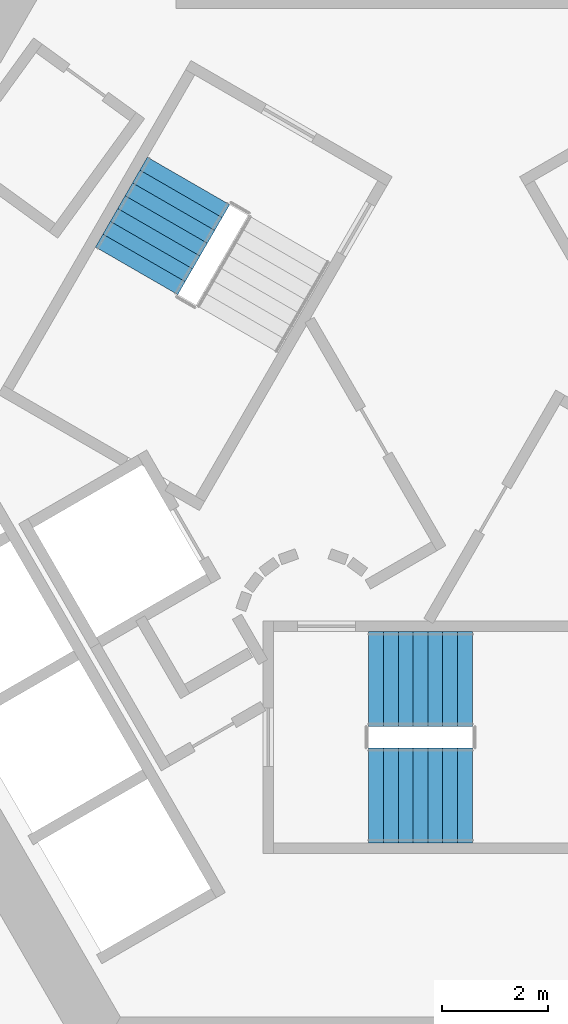
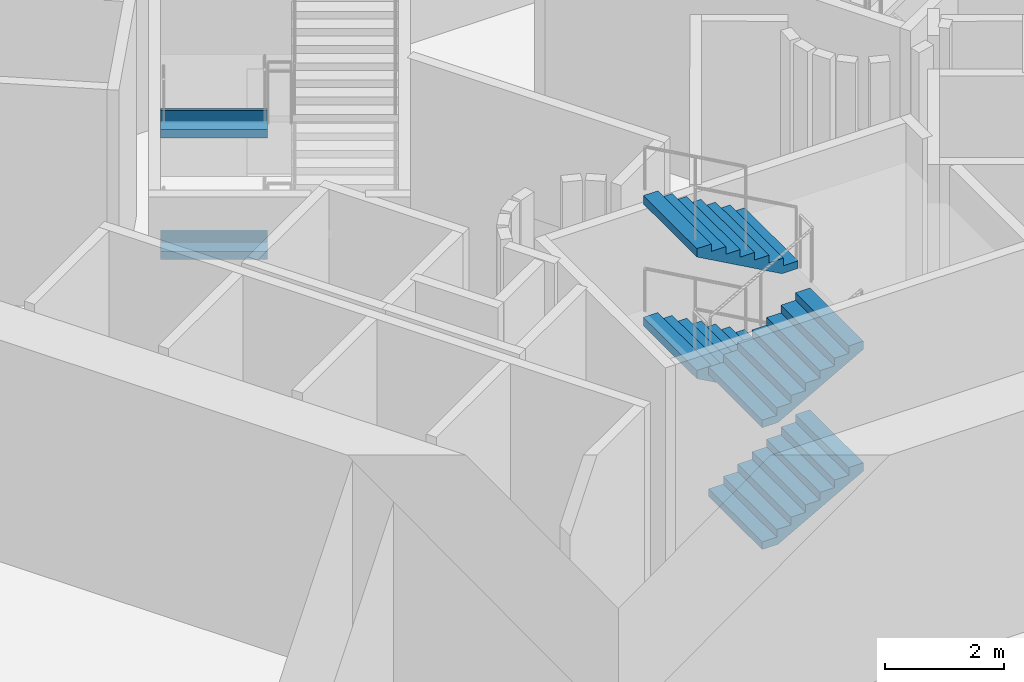
# One storey, part 10 of 16: 6 stair flights, 2 elements without a shape of their own.
"""IFC4 building model written with IfcOpenShell, lengths in metres."""

from ifc_helpers import new_model, si_unit, direction, frame, origin, place, context, subcontext, project, spatial, triangles, material, type_object, element, aggregate, save


model = new_model("IFC4")

# Units and contexts
model_context = context("Model", 3, precision=1e-05, world=origin(), true_north=direction((0.0, 1.0)))
body_context = subcontext(model_context, "Body", "Model", "MODEL_VIEW")
ifc_project = project(units=[si_unit("LENGTHUNIT", "METRE"), si_unit("AREAUNIT", "SQUARE_METRE"), si_unit("VOLUMEUNIT", "CUBIC_METRE"), si_unit("PLANEANGLEUNIT", "RADIAN"), si_unit("MASSUNIT", "GRAM", prefix="KILO")], contexts=[model_context])

# Site, building, storey
site_placement = place(None, origin())
site = spatial("IfcSite", under=ifc_project, at=site_placement, CompositionType="ELEMENT")
building_placement = place(site_placement, origin())
building = spatial("IfcBuilding", under=site, at=building_placement, Name="Entoto Arch Interchange Tower", CompositionType="ELEMENT")
storey_placement = place(building_placement, frame((0.0, 0.0, 20.0)))
storey = spatial("IfcBuildingStorey", under=building, at=storey_placement, Name="L03", CompositionType="ELEMENT", Elevation=20.0)

# Stair, stair flights
ifc_material = material(Name="Concrete C40/50", Category="concrete")
stair_type = type_object("IfcStairType", Name="EXIT STAIR RC 1800", PredefinedType="HALF_TURN_STAIR", material=ifc_material)
stair_1_placement = place(storey_placement, origin())
stair_1 = element("IfcStair", 1, at=stair_1_placement, inside=storey, type_object=stair_type, Name="L03 Exit stair S", PredefinedType="HALF_TURN_STAIR")
stair_flight_type = type_object("IfcStairFlightType", Name="EXIT STAIR FLIGHT RC 1800", PredefinedType="STRAIGHT", material=ifc_material)
stair_flight_1_placement = place(storey_placement, frame((-1.64990234375, -4.300048828125, 0.0), z_axis=(0.0, 0.0, 1.0), x_axis=(1.0, 0.0, 0.0)))
stair_flight_1 = element("IfcStairFlight", 2, at=stair_flight_1_placement, type_object=stair_flight_type, Name="ST-S flight 1", NumberOfRisers=8, NumberOfTreads=7, PredefinedType="STRAIGHT", RiserHeight=0.15625, TreadLength=0.28, context=body_context, shape_type="Tessellation", body=[
    triangles([(-0.003, -0.900024, 0.0), (-0.003, -0.900024, 0.15625), (0.28, -0.900024, 0.15625), (0.28, -0.900024, 0.3125), (0.56, -0.900024, 0.3125), (0.56, -0.900024, 0.46875), (0.84, -0.900024, 0.46875), (0.84, -0.900024, 0.625), (1.12, -0.900024, 0.625), (1.12, -0.900024, 0.78125), (1.4, -0.900024, 0.78125), (1.4, -0.900024, 0.9375), (1.68, -0.900024, 0.9375), (1.68, -0.900024, 1.09375), (1.96, -0.900024, 1.09375), (1.963, -0.900024, 1.09375), (1.963, -0.900024, 0.923761), (0.30762, -0.900024, 0.0), (-0.003, 0.900024, 0.0), (-0.003, 0.900024, 0.15625), (0.28, 0.900024, 0.15625), (0.28, 0.900024, 0.3125), (0.56, 0.900024, 0.3125), (0.56, 0.900024, 0.46875), (0.84, 0.900024, 0.46875), (0.84, 0.900024, 0.625), (1.12, 0.900024, 0.625), (1.12, 0.900024, 0.78125), (1.4, 0.900024, 0.78125), (1.4, 0.900024, 0.9375), (1.68, 0.900024, 0.9375), (1.68, 0.900024, 1.09375), (1.96, 0.900024, 1.09375), (1.963, 0.900024, 1.09375), (1.963, 0.900024, 0.923761), (0.30762, 0.900024, 0.0), (-0.003, -0.450012, 0.0), (-0.003, -0.450012, 0.15625), (-0.003, 0.0, 0.0), (-0.003, 0.0, 0.15625), (-0.003, 0.450012, 0.0), (-0.003, 0.450012, 0.15625), (0.28, -0.450012, 0.15625), (0.28, 0.0, 0.15625), (0.28, 0.450012, 0.15625), (0.28, -0.450012, 0.3125), (0.28, 0.0, 0.3125), (0.28, 0.450012, 0.3125), (0.56, -0.450012, 0.3125), (0.56, 0.0, 0.3125), (0.56, 0.450012, 0.3125), (0.56, -0.450012, 0.46875), (0.56, 0.0, 0.46875), (0.56, 0.450012, 0.46875), (0.84, -0.450012, 0.46875), (0.84, 0.0, 0.46875), (0.84, 0.450012, 0.46875), (0.84, -0.450012, 0.625), (0.84, 0.0, 0.625), (0.84, 0.450012, 0.625), (1.12, -0.450012, 0.625), (1.12, 0.0, 0.625), (1.12, 0.450012, 0.625), (1.12, -0.450012, 0.78125), (1.12, 0.0, 0.78125), (1.12, 0.450012, 0.78125), (1.4, -0.450012, 0.78125), (1.4, 0.0, 0.78125), (1.4, 0.450012, 0.78125), (1.4, -0.450012, 0.9375), (1.4, 0.0, 0.9375), (1.4, 0.450012, 0.9375), (1.68, -0.450012, 0.9375), (1.68, 0.0, 0.9375), (1.68, 0.450012, 0.9375), (1.68, -0.450012, 1.09375), (1.68, 0.0, 1.09375), (1.68, 0.450012, 1.09375), (1.96, -0.450012, 1.09375), (1.96, 0.0, 1.09375), (1.96, 0.450012, 1.09375), (1.963, -0.450012, 1.09375), (1.963, 0.0, 1.09375), (1.963, 0.450012, 1.09375), (1.963, -0.450012, 0.923761), (1.963, 0.0, 0.923761), (1.963, 0.450012, 0.923761), (0.30762, -0.450012, 0.0), (0.30762, 0.0, 0.0), (0.30762, 0.450012, 0.0)], [[1, 18, 17], [17, 16, 15], [17, 15, 14], [17, 14, 13], [17, 13, 12], [17, 12, 11], [11, 10, 9], [17, 11, 9], [9, 8, 7], [17, 9, 7], [7, 6, 5], [17, 7, 5], [5, 4, 3], [17, 5, 3], [1, 17, 3], [3, 2, 1], [19, 35, 36], [35, 33, 34], [35, 32, 33], [35, 31, 32], [35, 30, 31], [35, 29, 30], [29, 27, 28], [35, 27, 29], [27, 25, 26], [35, 25, 27], [25, 23, 24], [35, 23, 25], [23, 21, 22], [35, 21, 23], [19, 21, 35], [21, 19, 20], [1, 2, 38], [1, 38, 37], [37, 38, 40], [37, 40, 39], [39, 40, 42], [39, 42, 41], [41, 42, 20], [41, 20, 19], [2, 3, 43], [2, 43, 38], [38, 43, 44], [38, 44, 40], [40, 44, 45], [40, 45, 42], [42, 45, 21], [42, 21, 20], [3, 4, 46], [3, 46, 43], [43, 46, 47], [43, 47, 44], [44, 47, 48], [44, 48, 45], [45, 48, 22], [45, 22, 21], [4, 5, 49], [4, 49, 46], [46, 49, 50], [46, 50, 47], [47, 50, 51], [47, 51, 48], [48, 51, 23], [48, 23, 22], [5, 6, 52], [5, 52, 49], [49, 52, 53], [49, 53, 50], [50, 53, 54], [50, 54, 51], [51, 54, 24], [51, 24, 23], [6, 7, 55], [6, 55, 52], [52, 55, 56], [52, 56, 53], [53, 56, 57], [53, 57, 54], [54, 57, 25], [54, 25, 24], [7, 8, 58], [7, 58, 55], [55, 58, 59], [55, 59, 56], [56, 59, 60], [56, 60, 57], [57, 60, 26], [57, 26, 25], [8, 9, 61], [8, 61, 58], [58, 61, 62], [58, 62, 59], [59, 62, 63], [59, 63, 60], [60, 63, 27], [60, 27, 26], [9, 10, 64], [9, 64, 61], [61, 64, 65], [61, 65, 62], [62, 65, 66], [62, 66, 63], [63, 66, 28], [63, 28, 27], [10, 11, 67], [10, 67, 64], [64, 67, 68], [64, 68, 65], [65, 68, 69], [65, 69, 66], [66, 69, 29], [66, 29, 28], [11, 12, 70], [11, 70, 67], [67, 70, 71], [67, 71, 68], [68, 71, 72], [68, 72, 69], [69, 72, 30], [69, 30, 29], [12, 13, 73], [12, 73, 70], [70, 73, 74], [70, 74, 71], [71, 74, 75], [71, 75, 72], [72, 75, 31], [72, 31, 30], [13, 14, 76], [13, 76, 73], [73, 76, 77], [73, 77, 74], [74, 77, 78], [74, 78, 75], [75, 78, 32], [75, 32, 31], [14, 15, 79], [14, 79, 76], [76, 79, 80], [76, 80, 77], [77, 80, 81], [77, 81, 78], [78, 81, 33], [78, 33, 32], [15, 16, 82], [15, 82, 79], [79, 82, 83], [79, 83, 80], [80, 83, 84], [80, 84, 81], [81, 84, 34], [81, 34, 33], [16, 17, 85], [16, 85, 82], [82, 85, 86], [82, 86, 83], [83, 86, 87], [83, 87, 84], [84, 87, 35], [84, 35, 34], [17, 18, 88], [17, 88, 85], [85, 88, 89], [85, 89, 86], [86, 89, 90], [86, 90, 87], [87, 90, 36], [87, 36, 35], [18, 1, 37], [18, 37, 88], [88, 37, 39], [88, 39, 89], [89, 39, 41], [89, 41, 90], [90, 41, 19], [90, 19, 36]], closed=True),
])
stair_flight_2_placement = place(storey_placement, frame((0.31005859375, -2.10009765625, 1.25), z_axis=(0.0, 0.0, 1.0), x_axis=(-1.0, 0.0, 0.0)))
stair_flight_2 = element("IfcStairFlight", 3, at=stair_flight_2_placement, type_object=stair_flight_type, Name="ST-S flight 2", NumberOfRisers=8, NumberOfTreads=7, PredefinedType="STRAIGHT", RiserHeight=0.15625, TreadLength=0.28, context=body_context, shape_type="Tessellation", body=[
    triangles([(-0.003, -0.900024, 0.0), (-0.003, -0.900024, 0.15625), (0.28, -0.900024, 0.15625), (0.28, -0.900024, 0.3125), (0.56, -0.900024, 0.3125), (0.56, -0.900024, 0.46875), (0.84, -0.900024, 0.46875), (0.84, -0.900024, 0.625), (1.12, -0.900024, 0.625), (1.12, -0.900024, 0.78125), (1.4, -0.900024, 0.78125), (1.4, -0.900024, 0.9375), (1.68, -0.900024, 0.9375), (1.68, -0.900024, 1.09375), (1.96, -0.900024, 1.09375), (1.963, -0.900024, 1.09375), (1.963, -0.900024, 0.923761), (0.30762, -0.900024, 0.0), (-0.003, 0.900024, 0.0), (-0.003, 0.900024, 0.15625), (0.28, 0.900024, 0.15625), (0.28, 0.900024, 0.3125), (0.56, 0.900024, 0.3125), (0.56, 0.900024, 0.46875), (0.84, 0.900024, 0.46875), (0.84, 0.900024, 0.625), (1.12, 0.900024, 0.625), (1.12, 0.900024, 0.78125), (1.4, 0.900024, 0.78125), (1.4, 0.900024, 0.9375), (1.68, 0.900024, 0.9375), (1.68, 0.900024, 1.09375), (1.96, 0.900024, 1.09375), (1.963, 0.900024, 1.09375), (1.963, 0.900024, 0.923761), (0.30762, 0.900024, 0.0), (-0.003, -0.450012, 0.0), (-0.003, -0.450012, 0.15625), (-0.003, 0.0, 0.0), (-0.003, 0.0, 0.15625), (-0.003, 0.450012, 0.0), (-0.003, 0.450012, 0.15625), (0.28, -0.450012, 0.15625), (0.28, 0.0, 0.15625), (0.28, 0.450012, 0.15625), (0.28, -0.450012, 0.3125), (0.28, 0.0, 0.3125), (0.28, 0.450012, 0.3125), (0.56, -0.450012, 0.3125), (0.56, 0.0, 0.3125), (0.56, 0.450012, 0.3125), (0.56, -0.450012, 0.46875), (0.56, 0.0, 0.46875), (0.56, 0.450012, 0.46875), (0.84, -0.450012, 0.46875), (0.84, 0.0, 0.46875), (0.84, 0.450012, 0.46875), (0.84, -0.450012, 0.625), (0.84, 0.0, 0.625), (0.84, 0.450012, 0.625), (1.12, -0.450012, 0.625), (1.12, 0.0, 0.625), (1.12, 0.450012, 0.625), (1.12, -0.450012, 0.78125), (1.12, 0.0, 0.78125), (1.12, 0.450012, 0.78125), (1.4, -0.450012, 0.78125), (1.4, 0.0, 0.78125), (1.4, 0.450012, 0.78125), (1.4, -0.450012, 0.9375), (1.4, 0.0, 0.9375), (1.4, 0.450012, 0.9375), (1.68, -0.450012, 0.9375), (1.68, 0.0, 0.9375), (1.68, 0.450012, 0.9375), (1.68, -0.450012, 1.09375), (1.68, 0.0, 1.09375), (1.68, 0.450012, 1.09375), (1.96, -0.450012, 1.09375), (1.96, 0.0, 1.09375), (1.96, 0.450012, 1.09375), (1.963, -0.450012, 1.09375), (1.963, 0.0, 1.09375), (1.963, 0.450012, 1.09375), (1.963, -0.450012, 0.923761), (1.963, 0.0, 0.923761), (1.963, 0.450012, 0.923761), (0.30762, -0.450012, 0.0), (0.30762, 0.0, 0.0), (0.30762, 0.450012, 0.0)], [[1, 18, 17], [17, 16, 15], [17, 15, 14], [17, 14, 13], [17, 13, 12], [17, 12, 11], [11, 10, 9], [17, 11, 9], [9, 8, 7], [17, 9, 7], [7, 6, 5], [17, 7, 5], [5, 4, 3], [17, 5, 3], [1, 17, 3], [3, 2, 1], [19, 35, 36], [35, 33, 34], [35, 32, 33], [35, 31, 32], [35, 30, 31], [35, 29, 30], [29, 27, 28], [35, 27, 29], [27, 25, 26], [35, 25, 27], [25, 23, 24], [35, 23, 25], [23, 21, 22], [35, 21, 23], [19, 21, 35], [21, 19, 20], [1, 2, 38], [1, 38, 37], [37, 38, 40], [37, 40, 39], [39, 40, 42], [39, 42, 41], [41, 42, 20], [41, 20, 19], [2, 3, 43], [2, 43, 38], [38, 43, 44], [38, 44, 40], [40, 44, 45], [40, 45, 42], [42, 45, 21], [42, 21, 20], [3, 4, 46], [3, 46, 43], [43, 46, 47], [43, 47, 44], [44, 47, 48], [44, 48, 45], [45, 48, 22], [45, 22, 21], [4, 5, 49], [4, 49, 46], [46, 49, 50], [46, 50, 47], [47, 50, 51], [47, 51, 48], [48, 51, 23], [48, 23, 22], [5, 6, 52], [5, 52, 49], [49, 52, 53], [49, 53, 50], [50, 53, 54], [50, 54, 51], [51, 54, 24], [51, 24, 23], [6, 7, 55], [6, 55, 52], [52, 55, 56], [52, 56, 53], [53, 56, 57], [53, 57, 54], [54, 57, 25], [54, 25, 24], [7, 8, 58], [7, 58, 55], [55, 58, 59], [55, 59, 56], [56, 59, 60], [56, 60, 57], [57, 60, 26], [57, 26, 25], [8, 9, 61], [8, 61, 58], [58, 61, 62], [58, 62, 59], [59, 62, 63], [59, 63, 60], [60, 63, 27], [60, 27, 26], [9, 10, 64], [9, 64, 61], [61, 64, 65], [61, 65, 62], [62, 65, 66], [62, 66, 63], [63, 66, 28], [63, 28, 27], [10, 11, 67], [10, 67, 64], [64, 67, 68], [64, 68, 65], [65, 68, 69], [65, 69, 66], [66, 69, 29], [66, 29, 28], [11, 12, 70], [11, 70, 67], [67, 70, 71], [67, 71, 68], [68, 71, 72], [68, 72, 69], [69, 72, 30], [69, 30, 29], [12, 13, 73], [12, 73, 70], [70, 73, 74], [70, 74, 71], [71, 74, 75], [71, 75, 72], [72, 75, 31], [72, 31, 30], [13, 14, 76], [13, 76, 73], [73, 76, 77], [73, 77, 74], [74, 77, 78], [74, 78, 75], [75, 78, 32], [75, 32, 31], [14, 15, 79], [14, 79, 76], [76, 79, 80], [76, 80, 77], [77, 80, 81], [77, 81, 78], [78, 81, 33], [78, 33, 32], [15, 16, 82], [15, 82, 79], [79, 82, 83], [79, 83, 80], [80, 83, 84], [80, 84, 81], [81, 84, 34], [81, 34, 33], [16, 17, 85], [16, 85, 82], [82, 85, 86], [82, 86, 83], [83, 86, 87], [83, 87, 84], [84, 87, 35], [84, 35, 34], [17, 18, 88], [17, 88, 85], [85, 88, 89], [85, 89, 86], [86, 89, 90], [86, 90, 87], [87, 90, 36], [87, 36, 35], [18, 1, 37], [18, 37, 88], [88, 37, 39], [88, 39, 89], [89, 39, 41], [89, 41, 90], [90, 41, 19], [90, 19, 36]], closed=True),
])
stair_flight_3_placement = place(storey_placement, frame((-1.64990234375, -4.300048828125, 2.5), z_axis=(0.0, 0.0, 1.0), x_axis=(1.0, 0.0, 0.0)))
stair_flight_3 = element("IfcStairFlight", 4, at=stair_flight_3_placement, type_object=stair_flight_type, Name="ST-S flight 3", NumberOfRisers=8, NumberOfTreads=7, PredefinedType="STRAIGHT", RiserHeight=0.15625, TreadLength=0.28, context=body_context, shape_type="Tessellation", body=[
    triangles([(-0.003, -0.900024, 0.0), (-0.003, -0.900024, 0.15625), (0.28, -0.900024, 0.15625), (0.28, -0.900024, 0.3125), (0.56, -0.900024, 0.3125), (0.56, -0.900024, 0.46875), (0.84, -0.900024, 0.46875), (0.84, -0.900024, 0.625), (1.12, -0.900024, 0.625), (1.12, -0.900024, 0.78125), (1.4, -0.900024, 0.78125), (1.4, -0.900024, 0.9375), (1.68, -0.900024, 0.9375), (1.68, -0.900024, 1.09375), (1.96, -0.900024, 1.09375), (1.963, -0.900024, 1.09375), (1.963, -0.900024, 0.923761), (0.30762, -0.900024, 0.0), (-0.003, 0.900024, 0.0), (-0.003, 0.900024, 0.15625), (0.28, 0.900024, 0.15625), (0.28, 0.900024, 0.3125), (0.56, 0.900024, 0.3125), (0.56, 0.900024, 0.46875), (0.84, 0.900024, 0.46875), (0.84, 0.900024, 0.625), (1.12, 0.900024, 0.625), (1.12, 0.900024, 0.78125), (1.4, 0.900024, 0.78125), (1.4, 0.900024, 0.9375), (1.68, 0.900024, 0.9375), (1.68, 0.900024, 1.09375), (1.96, 0.900024, 1.09375), (1.963, 0.900024, 1.09375), (1.963, 0.900024, 0.923761), (0.30762, 0.900024, 0.0), (-0.003, -0.450012, 0.0), (-0.003, -0.450012, 0.15625), (-0.003, 0.0, 0.0), (-0.003, 0.0, 0.15625), (-0.003, 0.450012, 0.0), (-0.003, 0.450012, 0.15625), (0.28, -0.450012, 0.15625), (0.28, 0.0, 0.15625), (0.28, 0.450012, 0.15625), (0.28, -0.450012, 0.3125), (0.28, 0.0, 0.3125), (0.28, 0.450012, 0.3125), (0.56, -0.450012, 0.3125), (0.56, 0.0, 0.3125), (0.56, 0.450012, 0.3125), (0.56, -0.450012, 0.46875), (0.56, 0.0, 0.46875), (0.56, 0.450012, 0.46875), (0.84, -0.450012, 0.46875), (0.84, 0.0, 0.46875), (0.84, 0.450012, 0.46875), (0.84, -0.450012, 0.625), (0.84, 0.0, 0.625), (0.84, 0.450012, 0.625), (1.12, -0.450012, 0.625), (1.12, 0.0, 0.625), (1.12, 0.450012, 0.625), (1.12, -0.450012, 0.78125), (1.12, 0.0, 0.78125), (1.12, 0.450012, 0.78125), (1.4, -0.450012, 0.78125), (1.4, 0.0, 0.78125), (1.4, 0.450012, 0.78125), (1.4, -0.450012, 0.9375), (1.4, 0.0, 0.9375), (1.4, 0.450012, 0.9375), (1.68, -0.450012, 0.9375), (1.68, 0.0, 0.9375), (1.68, 0.450012, 0.9375), (1.68, -0.450012, 1.09375), (1.68, 0.0, 1.09375), (1.68, 0.450012, 1.09375), (1.96, -0.450012, 1.09375), (1.96, 0.0, 1.09375), (1.96, 0.450012, 1.09375), (1.963, -0.450012, 1.09375), (1.963, 0.0, 1.09375), (1.963, 0.450012, 1.09375), (1.963, -0.450012, 0.923761), (1.963, 0.0, 0.923761), (1.963, 0.450012, 0.923761), (0.30762, -0.450012, 0.0), (0.30762, 0.0, 0.0), (0.30762, 0.450012, 0.0)], [[1, 18, 17], [17, 16, 15], [17, 15, 14], [17, 14, 13], [17, 13, 12], [17, 12, 11], [11, 10, 9], [17, 11, 9], [9, 8, 7], [17, 9, 7], [7, 6, 5], [17, 7, 5], [5, 4, 3], [17, 5, 3], [1, 17, 3], [3, 2, 1], [19, 35, 36], [35, 33, 34], [35, 32, 33], [35, 31, 32], [35, 30, 31], [35, 29, 30], [29, 27, 28], [35, 27, 29], [27, 25, 26], [35, 25, 27], [25, 23, 24], [35, 23, 25], [23, 21, 22], [35, 21, 23], [19, 21, 35], [21, 19, 20], [1, 2, 38], [1, 38, 37], [37, 38, 40], [37, 40, 39], [39, 40, 42], [39, 42, 41], [41, 42, 20], [41, 20, 19], [2, 3, 43], [2, 43, 38], [38, 43, 44], [38, 44, 40], [40, 44, 45], [40, 45, 42], [42, 45, 21], [42, 21, 20], [3, 4, 46], [3, 46, 43], [43, 46, 47], [43, 47, 44], [44, 47, 48], [44, 48, 45], [45, 48, 22], [45, 22, 21], [4, 5, 49], [4, 49, 46], [46, 49, 50], [46, 50, 47], [47, 50, 51], [47, 51, 48], [48, 51, 23], [48, 23, 22], [5, 6, 52], [5, 52, 49], [49, 52, 53], [49, 53, 50], [50, 53, 54], [50, 54, 51], [51, 54, 24], [51, 24, 23], [6, 7, 55], [6, 55, 52], [52, 55, 56], [52, 56, 53], [53, 56, 57], [53, 57, 54], [54, 57, 25], [54, 25, 24], [7, 8, 58], [7, 58, 55], [55, 58, 59], [55, 59, 56], [56, 59, 60], [56, 60, 57], [57, 60, 26], [57, 26, 25], [8, 9, 61], [8, 61, 58], [58, 61, 62], [58, 62, 59], [59, 62, 63], [59, 63, 60], [60, 63, 27], [60, 27, 26], [9, 10, 64], [9, 64, 61], [61, 64, 65], [61, 65, 62], [62, 65, 66], [62, 66, 63], [63, 66, 28], [63, 28, 27], [10, 11, 67], [10, 67, 64], [64, 67, 68], [64, 68, 65], [65, 68, 69], [65, 69, 66], [66, 69, 29], [66, 29, 28], [11, 12, 70], [11, 70, 67], [67, 70, 71], [67, 71, 68], [68, 71, 72], [68, 72, 69], [69, 72, 30], [69, 30, 29], [12, 13, 73], [12, 73, 70], [70, 73, 74], [70, 74, 71], [71, 74, 75], [71, 75, 72], [72, 75, 31], [72, 31, 30], [13, 14, 76], [13, 76, 73], [73, 76, 77], [73, 77, 74], [74, 77, 78], [74, 78, 75], [75, 78, 32], [75, 32, 31], [14, 15, 79], [14, 79, 76], [76, 79, 80], [76, 80, 77], [77, 80, 81], [77, 81, 78], [78, 81, 33], [78, 33, 32], [15, 16, 82], [15, 82, 79], [79, 82, 83], [79, 83, 80], [80, 83, 84], [80, 84, 81], [81, 84, 34], [81, 34, 33], [16, 17, 85], [16, 85, 82], [82, 85, 86], [82, 86, 83], [83, 86, 87], [83, 87, 84], [84, 87, 35], [84, 35, 34], [17, 18, 88], [17, 88, 85], [85, 88, 89], [85, 89, 86], [86, 89, 90], [86, 90, 87], [87, 90, 36], [87, 36, 35], [18, 1, 37], [18, 37, 88], [88, 37, 39], [88, 39, 89], [89, 39, 41], [89, 41, 90], [90, 41, 19], [90, 19, 36]], closed=True),
])
stair_flight_4_placement = place(storey_placement, frame((0.31005859375, -2.10009765625, 3.75), z_axis=(0.0, 0.0, 1.0), x_axis=(-1.0, 0.0, 0.0)))
stair_flight_4 = element("IfcStairFlight", 5, at=stair_flight_4_placement, type_object=stair_flight_type, Name="ST-S flight 4", NumberOfRisers=8, NumberOfTreads=7, PredefinedType="STRAIGHT", RiserHeight=0.15625, TreadLength=0.28, context=body_context, shape_type="Tessellation", body=[
    triangles([(-0.003, -0.900024, 0.0), (-0.003, -0.900024, 0.15625), (0.28, -0.900024, 0.15625), (0.28, -0.900024, 0.3125), (0.56, -0.900024, 0.3125), (0.56, -0.900024, 0.46875), (0.84, -0.900024, 0.46875), (0.84, -0.900024, 0.625), (1.12, -0.900024, 0.625), (1.12, -0.900024, 0.78125), (1.4, -0.900024, 0.78125), (1.4, -0.900024, 0.9375), (1.68, -0.900024, 0.9375), (1.68, -0.900024, 1.09375), (1.96, -0.900024, 1.09375), (1.963, -0.900024, 1.09375), (1.963, -0.900024, 0.923761), (0.30762, -0.900024, 0.0), (-0.003, 0.900024, 0.0), (-0.003, 0.900024, 0.15625), (0.28, 0.900024, 0.15625), (0.28, 0.900024, 0.3125), (0.56, 0.900024, 0.3125), (0.56, 0.900024, 0.46875), (0.84, 0.900024, 0.46875), (0.84, 0.900024, 0.625), (1.12, 0.900024, 0.625), (1.12, 0.900024, 0.78125), (1.4, 0.900024, 0.78125), (1.4, 0.900024, 0.9375), (1.68, 0.900024, 0.9375), (1.68, 0.900024, 1.09375), (1.96, 0.900024, 1.09375), (1.963, 0.900024, 1.09375), (1.963, 0.900024, 0.923761), (0.30762, 0.900024, 0.0), (-0.003, -0.450012, 0.0), (-0.003, -0.450012, 0.15625), (-0.003, 0.0, 0.0), (-0.003, 0.0, 0.15625), (-0.003, 0.450012, 0.0), (-0.003, 0.450012, 0.15625), (0.28, -0.450012, 0.15625), (0.28, 0.0, 0.15625), (0.28, 0.450012, 0.15625), (0.28, -0.450012, 0.3125), (0.28, 0.0, 0.3125), (0.28, 0.450012, 0.3125), (0.56, -0.450012, 0.3125), (0.56, 0.0, 0.3125), (0.56, 0.450012, 0.3125), (0.56, -0.450012, 0.46875), (0.56, 0.0, 0.46875), (0.56, 0.450012, 0.46875), (0.84, -0.450012, 0.46875), (0.84, 0.0, 0.46875), (0.84, 0.450012, 0.46875), (0.84, -0.450012, 0.625), (0.84, 0.0, 0.625), (0.84, 0.450012, 0.625), (1.12, -0.450012, 0.625), (1.12, 0.0, 0.625), (1.12, 0.450012, 0.625), (1.12, -0.450012, 0.78125), (1.12, 0.0, 0.78125), (1.12, 0.450012, 0.78125), (1.4, -0.450012, 0.78125), (1.4, 0.0, 0.78125), (1.4, 0.450012, 0.78125), (1.4, -0.450012, 0.9375), (1.4, 0.0, 0.9375), (1.4, 0.450012, 0.9375), (1.68, -0.450012, 0.9375), (1.68, 0.0, 0.9375), (1.68, 0.450012, 0.9375), (1.68, -0.450012, 1.09375), (1.68, 0.0, 1.09375), (1.68, 0.450012, 1.09375), (1.96, -0.450012, 1.09375), (1.96, 0.0, 1.09375), (1.96, 0.450012, 1.09375), (1.963, -0.450012, 1.09375), (1.963, 0.0, 1.09375), (1.963, 0.450012, 1.09375), (1.963, -0.450012, 0.923761), (1.963, 0.0, 0.923761), (1.963, 0.450012, 0.923761), (0.30762, -0.450012, 0.0), (0.30762, 0.0, 0.0), (0.30762, 0.450012, 0.0)], [[1, 18, 17], [17, 16, 15], [17, 15, 14], [17, 14, 13], [17, 13, 12], [17, 12, 11], [11, 10, 9], [17, 11, 9], [9, 8, 7], [17, 9, 7], [7, 6, 5], [17, 7, 5], [5, 4, 3], [17, 5, 3], [1, 17, 3], [3, 2, 1], [19, 35, 36], [35, 33, 34], [35, 32, 33], [35, 31, 32], [35, 30, 31], [35, 29, 30], [29, 27, 28], [35, 27, 29], [27, 25, 26], [35, 25, 27], [25, 23, 24], [35, 23, 25], [23, 21, 22], [35, 21, 23], [19, 21, 35], [21, 19, 20], [1, 2, 38], [1, 38, 37], [37, 38, 40], [37, 40, 39], [39, 40, 42], [39, 42, 41], [41, 42, 20], [41, 20, 19], [2, 3, 43], [2, 43, 38], [38, 43, 44], [38, 44, 40], [40, 44, 45], [40, 45, 42], [42, 45, 21], [42, 21, 20], [3, 4, 46], [3, 46, 43], [43, 46, 47], [43, 47, 44], [44, 47, 48], [44, 48, 45], [45, 48, 22], [45, 22, 21], [4, 5, 49], [4, 49, 46], [46, 49, 50], [46, 50, 47], [47, 50, 51], [47, 51, 48], [48, 51, 23], [48, 23, 22], [5, 6, 52], [5, 52, 49], [49, 52, 53], [49, 53, 50], [50, 53, 54], [50, 54, 51], [51, 54, 24], [51, 24, 23], [6, 7, 55], [6, 55, 52], [52, 55, 56], [52, 56, 53], [53, 56, 57], [53, 57, 54], [54, 57, 25], [54, 25, 24], [7, 8, 58], [7, 58, 55], [55, 58, 59], [55, 59, 56], [56, 59, 60], [56, 60, 57], [57, 60, 26], [57, 26, 25], [8, 9, 61], [8, 61, 58], [58, 61, 62], [58, 62, 59], [59, 62, 63], [59, 63, 60], [60, 63, 27], [60, 27, 26], [9, 10, 64], [9, 64, 61], [61, 64, 65], [61, 65, 62], [62, 65, 66], [62, 66, 63], [63, 66, 28], [63, 28, 27], [10, 11, 67], [10, 67, 64], [64, 67, 68], [64, 68, 65], [65, 68, 69], [65, 69, 66], [66, 69, 29], [66, 29, 28], [11, 12, 70], [11, 70, 67], [67, 70, 71], [67, 71, 68], [68, 71, 72], [68, 72, 69], [69, 72, 30], [69, 30, 29], [12, 13, 73], [12, 73, 70], [70, 73, 74], [70, 74, 71], [71, 74, 75], [71, 75, 72], [72, 75, 31], [72, 31, 30], [13, 14, 76], [13, 76, 73], [73, 76, 77], [73, 77, 74], [74, 77, 78], [74, 78, 75], [75, 78, 32], [75, 32, 31], [14, 15, 79], [14, 79, 76], [76, 79, 80], [76, 80, 77], [77, 80, 81], [77, 81, 78], [78, 81, 33], [78, 33, 32], [15, 16, 82], [15, 82, 79], [79, 82, 83], [79, 83, 80], [80, 83, 84], [80, 84, 81], [81, 84, 34], [81, 34, 33], [16, 17, 85], [16, 85, 82], [82, 85, 86], [82, 86, 83], [83, 86, 87], [83, 87, 84], [84, 87, 35], [84, 35, 34], [17, 18, 88], [17, 88, 85], [85, 88, 89], [85, 89, 86], [86, 89, 90], [86, 90, 87], [87, 90, 36], [87, 36, 35], [18, 1, 37], [18, 37, 88], [88, 37, 39], [88, 39, 89], [89, 39, 41], [89, 41, 90], [90, 41, 19], [90, 19, 36]], closed=True),
])
aggregate(stair_1, [stair_flight_1, stair_flight_2, stair_flight_3, stair_flight_4])

stair_2_placement = place(storey_placement, origin())
stair_2 = element("IfcStair", 6, at=stair_2_placement, inside=storey, type_object=stair_type, Name="L03 Exit stair NW", PredefinedType="HALF_TURN_STAIR")
stair_flight_5_placement = place(storey_placement, frame((-5.06396484375, 7.328857421875, 0.0), z_axis=(0.0, 0.0, 1.0), x_axis=(-0.5, -0.866025403784, 0.0)))
stair_flight_5 = element("IfcStairFlight", 7, at=stair_flight_5_placement, type_object=stair_flight_type, Name="ST-NW flight 1", NumberOfRisers=8, NumberOfTreads=7, PredefinedType="STRAIGHT", RiserHeight=0.15625, TreadLength=0.28, context=body_context, shape_type="Tessellation", body=[
    triangles([(-0.003, -0.900024, 0.0), (-0.003, -0.900024, 0.15625), (0.28, -0.900024, 0.15625), (0.28, -0.900024, 0.3125), (0.56, -0.900024, 0.3125), (0.56, -0.900024, 0.46875), (0.84, -0.900024, 0.46875), (0.84, -0.900024, 0.625), (1.12, -0.900024, 0.625), (1.12, -0.900024, 0.78125), (1.4, -0.900024, 0.78125), (1.4, -0.900024, 0.9375), (1.68, -0.900024, 0.9375), (1.68, -0.900024, 1.09375), (1.96, -0.900024, 1.09375), (1.963, -0.900024, 1.09375), (1.963, -0.900024, 0.923761), (0.30762, -0.900024, 0.0), (-0.003, 0.900024, 0.0), (-0.003, 0.900024, 0.15625), (0.28, 0.900024, 0.15625), (0.28, 0.900024, 0.3125), (0.56, 0.900024, 0.3125), (0.56, 0.900024, 0.46875), (0.84, 0.900024, 0.46875), (0.84, 0.900024, 0.625), (1.12, 0.900024, 0.625), (1.12, 0.900024, 0.78125), (1.4, 0.900024, 0.78125), (1.4, 0.900024, 0.9375), (1.68, 0.900024, 0.9375), (1.68, 0.900024, 1.09375), (1.96, 0.900024, 1.09375), (1.963, 0.900024, 1.09375), (1.963, 0.900024, 0.923761), (0.30762, 0.900024, 0.0), (-0.003, -0.450012, 0.0), (-0.003, -0.450012, 0.15625), (-0.003, 0.0, 0.0), (-0.003, 0.0, 0.15625), (-0.003, 0.450012, 0.0), (-0.003, 0.450012, 0.15625), (0.28, -0.450012, 0.15625), (0.28, 0.0, 0.15625), (0.28, 0.450012, 0.15625), (0.28, -0.450012, 0.3125), (0.28, 0.0, 0.3125), (0.28, 0.450012, 0.3125), (0.56, -0.450012, 0.3125), (0.56, 0.0, 0.3125), (0.56, 0.450012, 0.3125), (0.56, -0.450012, 0.46875), (0.56, 0.0, 0.46875), (0.56, 0.450012, 0.46875), (0.84, -0.450012, 0.46875), (0.84, 0.0, 0.46875), (0.84, 0.450012, 0.46875), (0.84, -0.450012, 0.625), (0.84, 0.0, 0.625), (0.84, 0.450012, 0.625), (1.12, -0.450012, 0.625), (1.12, 0.0, 0.625), (1.12, 0.450012, 0.625), (1.12, -0.450012, 0.78125), (1.12, 0.0, 0.78125), (1.12, 0.450012, 0.78125), (1.4, -0.450012, 0.78125), (1.4, 0.0, 0.78125), (1.4, 0.450012, 0.78125), (1.4, -0.450012, 0.9375), (1.4, 0.0, 0.9375), (1.4, 0.450012, 0.9375), (1.68, -0.450012, 0.9375), (1.68, 0.0, 0.9375), (1.68, 0.450012, 0.9375), (1.68, -0.450012, 1.09375), (1.68, 0.0, 1.09375), (1.68, 0.450012, 1.09375), (1.96, -0.450012, 1.09375), (1.96, 0.0, 1.09375), (1.96, 0.450012, 1.09375), (1.963, -0.450012, 1.09375), (1.963, 0.0, 1.09375), (1.963, 0.450012, 1.09375), (1.963, -0.450012, 0.923761), (1.963, 0.0, 0.923761), (1.963, 0.450012, 0.923761), (0.30762, -0.450012, 0.0), (0.30762, 0.0, 0.0), (0.30762, 0.450012, 0.0)], [[1, 18, 17], [17, 16, 15], [17, 15, 14], [17, 14, 13], [17, 13, 12], [17, 12, 11], [11, 10, 9], [17, 11, 9], [9, 8, 7], [17, 9, 7], [7, 6, 5], [17, 7, 5], [5, 4, 3], [17, 5, 3], [1, 17, 3], [3, 2, 1], [19, 35, 36], [35, 33, 34], [35, 32, 33], [35, 31, 32], [35, 30, 31], [35, 29, 30], [29, 27, 28], [35, 27, 29], [27, 25, 26], [35, 25, 27], [25, 23, 24], [35, 23, 25], [23, 21, 22], [35, 21, 23], [19, 21, 35], [21, 19, 20], [1, 2, 38], [1, 38, 37], [37, 38, 40], [37, 40, 39], [39, 40, 42], [39, 42, 41], [41, 42, 20], [41, 20, 19], [2, 3, 43], [2, 43, 38], [38, 43, 44], [38, 44, 40], [40, 44, 45], [40, 45, 42], [42, 45, 21], [42, 21, 20], [3, 4, 46], [3, 46, 43], [43, 46, 47], [43, 47, 44], [44, 47, 48], [44, 48, 45], [45, 48, 22], [45, 22, 21], [4, 5, 49], [4, 49, 46], [46, 49, 50], [46, 50, 47], [47, 50, 51], [47, 51, 48], [48, 51, 23], [48, 23, 22], [5, 6, 52], [5, 52, 49], [49, 52, 53], [49, 53, 50], [50, 53, 54], [50, 54, 51], [51, 54, 24], [51, 24, 23], [6, 7, 55], [6, 55, 52], [52, 55, 56], [52, 56, 53], [53, 56, 57], [53, 57, 54], [54, 57, 25], [54, 25, 24], [7, 8, 58], [7, 58, 55], [55, 58, 59], [55, 59, 56], [56, 59, 60], [56, 60, 57], [57, 60, 26], [57, 26, 25], [8, 9, 61], [8, 61, 58], [58, 61, 62], [58, 62, 59], [59, 62, 63], [59, 63, 60], [60, 63, 27], [60, 27, 26], [9, 10, 64], [9, 64, 61], [61, 64, 65], [61, 65, 62], [62, 65, 66], [62, 66, 63], [63, 66, 28], [63, 28, 27], [10, 11, 67], [10, 67, 64], [64, 67, 68], [64, 68, 65], [65, 68, 69], [65, 69, 66], [66, 69, 29], [66, 29, 28], [11, 12, 70], [11, 70, 67], [67, 70, 71], [67, 71, 68], [68, 71, 72], [68, 72, 69], [69, 72, 30], [69, 30, 29], [12, 13, 73], [12, 73, 70], [70, 73, 74], [70, 74, 71], [71, 74, 75], [71, 75, 72], [72, 75, 31], [72, 31, 30], [13, 14, 76], [13, 76, 73], [73, 76, 77], [73, 77, 74], [74, 77, 78], [74, 78, 75], [75, 78, 32], [75, 32, 31], [14, 15, 79], [14, 79, 76], [76, 79, 80], [76, 80, 77], [77, 80, 81], [77, 81, 78], [78, 81, 33], [78, 33, 32], [15, 16, 82], [15, 82, 79], [79, 82, 83], [79, 83, 80], [80, 83, 84], [80, 84, 81], [81, 84, 34], [81, 34, 33], [16, 17, 85], [16, 85, 82], [82, 85, 86], [82, 86, 83], [83, 86, 87], [83, 87, 84], [84, 87, 35], [84, 35, 34], [17, 18, 88], [17, 88, 85], [85, 88, 89], [85, 89, 86], [86, 89, 90], [86, 90, 87], [87, 90, 36], [87, 36, 35], [18, 1, 37], [18, 37, 88], [88, 37, 39], [88, 39, 89], [89, 39, 41], [89, 41, 90], [90, 41, 19], [90, 19, 36]], closed=True),
])
stair_flight_6_placement = place(storey_placement, frame((-5.06396484375, 7.328857421875, 2.5), z_axis=(0.0, 0.0, 1.0), x_axis=(-0.5, -0.866025403784, 0.0)))
stair_flight_6 = element("IfcStairFlight", 8, at=stair_flight_6_placement, type_object=stair_flight_type, Name="ST-NW flight 3", NumberOfRisers=8, NumberOfTreads=7, PredefinedType="STRAIGHT", RiserHeight=0.15625, TreadLength=0.28, context=body_context, shape_type="Tessellation", body=[
    triangles([(-0.003, -0.900024, 0.0), (-0.003, -0.900024, 0.15625), (0.28, -0.900024, 0.15625), (0.28, -0.900024, 0.3125), (0.56, -0.900024, 0.3125), (0.56, -0.900024, 0.46875), (0.84, -0.900024, 0.46875), (0.84, -0.900024, 0.625), (1.12, -0.900024, 0.625), (1.12, -0.900024, 0.78125), (1.4, -0.900024, 0.78125), (1.4, -0.900024, 0.9375), (1.68, -0.900024, 0.9375), (1.68, -0.900024, 1.09375), (1.96, -0.900024, 1.09375), (1.963, -0.900024, 1.09375), (1.963, -0.900024, 0.923761), (0.30762, -0.900024, 0.0), (-0.003, 0.900024, 0.0), (-0.003, 0.900024, 0.15625), (0.28, 0.900024, 0.15625), (0.28, 0.900024, 0.3125), (0.56, 0.900024, 0.3125), (0.56, 0.900024, 0.46875), (0.84, 0.900024, 0.46875), (0.84, 0.900024, 0.625), (1.12, 0.900024, 0.625), (1.12, 0.900024, 0.78125), (1.4, 0.900024, 0.78125), (1.4, 0.900024, 0.9375), (1.68, 0.900024, 0.9375), (1.68, 0.900024, 1.09375), (1.96, 0.900024, 1.09375), (1.963, 0.900024, 1.09375), (1.963, 0.900024, 0.923761), (0.30762, 0.900024, 0.0), (-0.003, -0.450012, 0.0), (-0.003, -0.450012, 0.15625), (-0.003, 0.0, 0.0), (-0.003, 0.0, 0.15625), (-0.003, 0.450012, 0.0), (-0.003, 0.450012, 0.15625), (0.28, -0.450012, 0.15625), (0.28, 0.0, 0.15625), (0.28, 0.450012, 0.15625), (0.28, -0.450012, 0.3125), (0.28, 0.0, 0.3125), (0.28, 0.450012, 0.3125), (0.56, -0.450012, 0.3125), (0.56, 0.0, 0.3125), (0.56, 0.450012, 0.3125), (0.56, -0.450012, 0.46875), (0.56, 0.0, 0.46875), (0.56, 0.450012, 0.46875), (0.84, -0.450012, 0.46875), (0.84, 0.0, 0.46875), (0.84, 0.450012, 0.46875), (0.84, -0.450012, 0.625), (0.84, 0.0, 0.625), (0.84, 0.450012, 0.625), (1.12, -0.450012, 0.625), (1.12, 0.0, 0.625), (1.12, 0.450012, 0.625), (1.12, -0.450012, 0.78125), (1.12, 0.0, 0.78125), (1.12, 0.450012, 0.78125), (1.4, -0.450012, 0.78125), (1.4, 0.0, 0.78125), (1.4, 0.450012, 0.78125), (1.4, -0.450012, 0.9375), (1.4, 0.0, 0.9375), (1.4, 0.450012, 0.9375), (1.68, -0.450012, 0.9375), (1.68, 0.0, 0.9375), (1.68, 0.450012, 0.9375), (1.68, -0.450012, 1.09375), (1.68, 0.0, 1.09375), (1.68, 0.450012, 1.09375), (1.96, -0.450012, 1.09375), (1.96, 0.0, 1.09375), (1.96, 0.450012, 1.09375), (1.963, -0.450012, 1.09375), (1.963, 0.0, 1.09375), (1.963, 0.450012, 1.09375), (1.963, -0.450012, 0.923761), (1.963, 0.0, 0.923761), (1.963, 0.450012, 0.923761), (0.30762, -0.450012, 0.0), (0.30762, 0.0, 0.0), (0.30762, 0.450012, 0.0)], [[1, 18, 17], [17, 16, 15], [17, 15, 14], [17, 14, 13], [17, 13, 12], [17, 12, 11], [11, 10, 9], [17, 11, 9], [9, 8, 7], [17, 9, 7], [7, 6, 5], [17, 7, 5], [5, 4, 3], [17, 5, 3], [1, 17, 3], [3, 2, 1], [19, 35, 36], [35, 33, 34], [35, 32, 33], [35, 31, 32], [35, 30, 31], [35, 29, 30], [29, 27, 28], [35, 27, 29], [27, 25, 26], [35, 25, 27], [25, 23, 24], [35, 23, 25], [23, 21, 22], [35, 21, 23], [19, 21, 35], [21, 19, 20], [1, 2, 38], [1, 38, 37], [37, 38, 40], [37, 40, 39], [39, 40, 42], [39, 42, 41], [41, 42, 20], [41, 20, 19], [2, 3, 43], [2, 43, 38], [38, 43, 44], [38, 44, 40], [40, 44, 45], [40, 45, 42], [42, 45, 21], [42, 21, 20], [3, 4, 46], [3, 46, 43], [43, 46, 47], [43, 47, 44], [44, 47, 48], [44, 48, 45], [45, 48, 22], [45, 22, 21], [4, 5, 49], [4, 49, 46], [46, 49, 50], [46, 50, 47], [47, 50, 51], [47, 51, 48], [48, 51, 23], [48, 23, 22], [5, 6, 52], [5, 52, 49], [49, 52, 53], [49, 53, 50], [50, 53, 54], [50, 54, 51], [51, 54, 24], [51, 24, 23], [6, 7, 55], [6, 55, 52], [52, 55, 56], [52, 56, 53], [53, 56, 57], [53, 57, 54], [54, 57, 25], [54, 25, 24], [7, 8, 58], [7, 58, 55], [55, 58, 59], [55, 59, 56], [56, 59, 60], [56, 60, 57], [57, 60, 26], [57, 26, 25], [8, 9, 61], [8, 61, 58], [58, 61, 62], [58, 62, 59], [59, 62, 63], [59, 63, 60], [60, 63, 27], [60, 27, 26], [9, 10, 64], [9, 64, 61], [61, 64, 65], [61, 65, 62], [62, 65, 66], [62, 66, 63], [63, 66, 28], [63, 28, 27], [10, 11, 67], [10, 67, 64], [64, 67, 68], [64, 68, 65], [65, 68, 69], [65, 69, 66], [66, 69, 29], [66, 29, 28], [11, 12, 70], [11, 70, 67], [67, 70, 71], [67, 71, 68], [68, 71, 72], [68, 72, 69], [69, 72, 30], [69, 30, 29], [12, 13, 73], [12, 73, 70], [70, 73, 74], [70, 74, 71], [71, 74, 75], [71, 75, 72], [72, 75, 31], [72, 31, 30], [13, 14, 76], [13, 76, 73], [73, 76, 77], [73, 77, 74], [74, 77, 78], [74, 78, 75], [75, 78, 32], [75, 32, 31], [14, 15, 79], [14, 79, 76], [76, 79, 80], [76, 80, 77], [77, 80, 81], [77, 81, 78], [78, 81, 33], [78, 33, 32], [15, 16, 82], [15, 82, 79], [79, 82, 83], [79, 83, 80], [80, 83, 84], [80, 84, 81], [81, 84, 34], [81, 34, 33], [16, 17, 85], [16, 85, 82], [82, 85, 86], [82, 86, 83], [83, 86, 87], [83, 87, 84], [84, 87, 35], [84, 35, 34], [17, 18, 88], [17, 88, 85], [85, 88, 89], [85, 89, 86], [86, 89, 90], [86, 90, 87], [87, 90, 36], [87, 36, 35], [18, 1, 37], [18, 37, 88], [88, 37, 39], [88, 39, 89], [89, 39, 41], [89, 41, 90], [90, 41, 19], [90, 19, 36]], closed=True),
])
aggregate(stair_2, [stair_flight_5, stair_flight_6])

save(model, "model.ifc")
